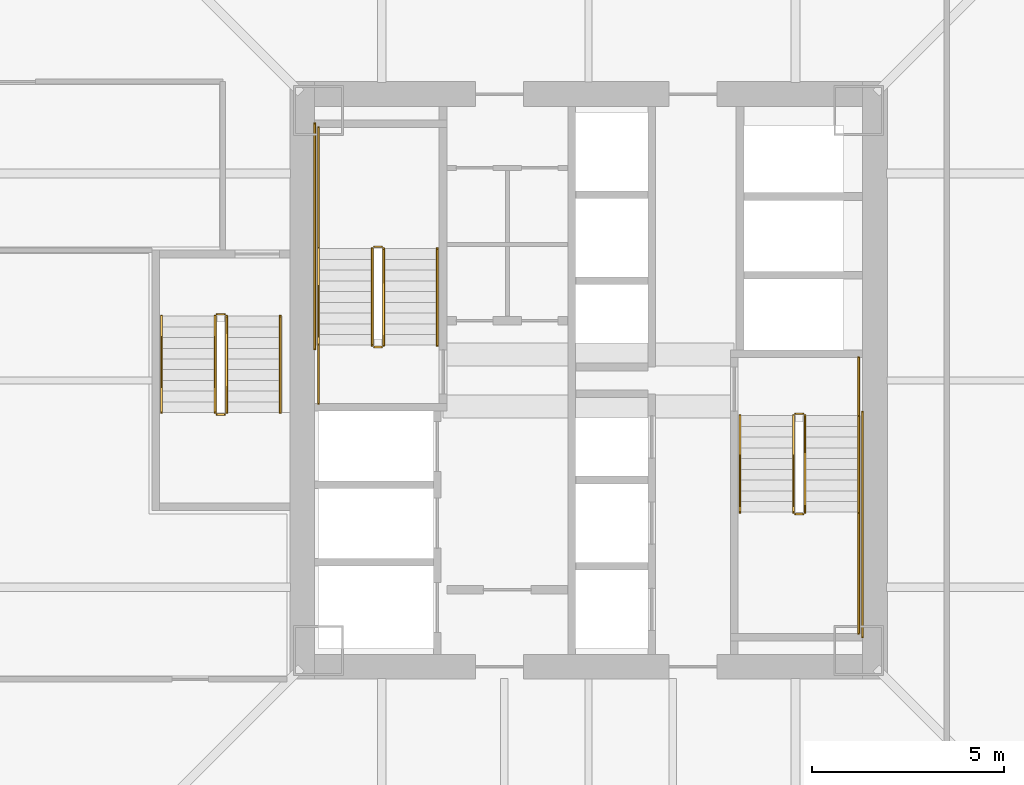
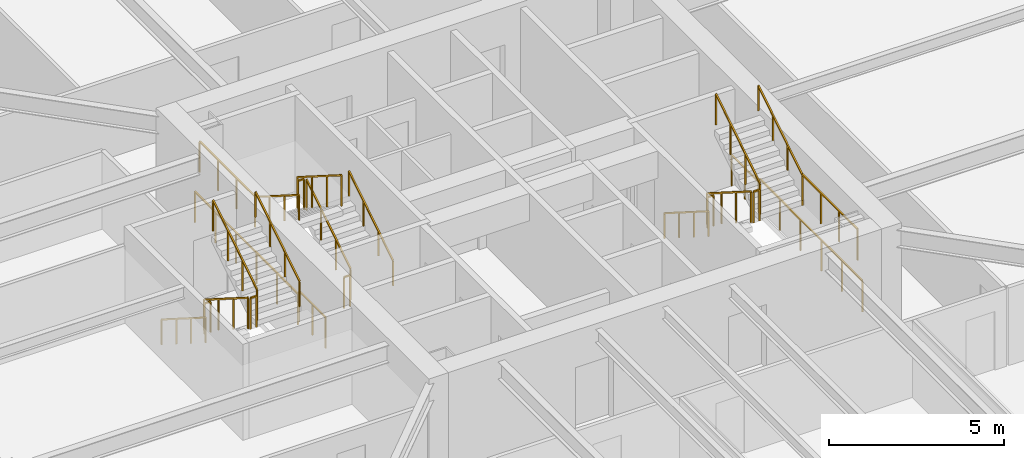
# One storey, part 49 of 54: 24 railings.
"""IFC4 building model written with IfcOpenShell, lengths in metres."""

from ifc_helpers import new_model, si_unit, direction, frame, origin, origin_2d, place, context, subcontext, project, spatial, rectangle, extrude, material, type_object, element, save


model = new_model("IFC4")

# Units and contexts
model_context = context("Model", 3, precision=1e-05, world=origin(), true_north=direction((0.0, 1.0)))
body_context = subcontext(model_context, "Body", "Model", "MODEL_VIEW")
ifc_project = project(units=[si_unit("LENGTHUNIT", "METRE"), si_unit("AREAUNIT", "SQUARE_METRE"), si_unit("VOLUMEUNIT", "CUBIC_METRE"), si_unit("PLANEANGLEUNIT", "RADIAN"), si_unit("MASSUNIT", "GRAM", prefix="KILO")], contexts=[model_context])

# Site, building, storey
site_placement = place(None, origin())
site = spatial("IfcSite", under=ifc_project, at=site_placement, CompositionType="ELEMENT")
building_placement = place(site_placement, origin())
building = spatial("IfcBuilding", under=site, at=building_placement, Name="Tashvorn Skyway Center", CompositionType="ELEMENT")
storey_placement = place(building_placement, frame((0.0, 0.0, 88.5)))
storey = spatial("IfcBuildingStorey", under=building, at=storey_placement, Name="L23", CompositionType="ELEMENT", Elevation=88.5)

# Railings
ifc_material_1 = material(Name="Brushed stainless steel 316", Category="steel")
railing_type_1 = type_object("IfcRailingType", Name="RAIL-HAND-920", PredefinedType="HANDRAIL", material=ifc_material_1)
railing_1_placement = place(storey_placement, frame((38.050048828125, 32.919921875, 0.177490234375)))
element("IfcRailing", 1, at=railing_1_placement, inside=storey, type_object=railing_type_1, Name="L23 ST-T1-1 stair handrail 1", PredefinedType="HANDRAIL", context=body_context, shape_type="SweptSolid", body=[
    extrude(rectangle(XDim=0.048095703125, YDim=0.048095703125, at=origin_2d()), frame((0.0, 0.0, 0.8759765625), z_axis=(0.0, 0.84460694969, 0.535386869969), x_axis=(-1.0, 0.0, 0.0)), (0.0, 0.0, 1.0), 2.983642578125),
    extrude(rectangle(XDim=0.0419921875, YDim=0.0419921875, at=origin_2d()), origin(), (0.0, 0.0, 1.0), 0.851806640625),
    extrude(rectangle(XDim=0.0419921875, YDim=0.0419921875, at=origin_2d()), frame((0.0, 0.840087890625, 0.532470703125)), (0.0, 0.0, 1.0), 0.851806640625),
    extrude(rectangle(XDim=0.0419921875, YDim=0.0419921875, at=origin_2d()), frame((0.0, 1.679931640625, 1.06494140625)), (0.0, 0.0, 1.0), 0.851806640625),
    extrude(rectangle(XDim=0.0419921875, YDim=0.0419921875, at=origin_2d()), frame((0.0, 2.52001953125, 1.597412109375)), (0.0, 0.0, 1.0), 0.851806640625),
])
railing_2_placement = place(storey_placement, frame((34.949951171875, 35.43994140625, 1.952392578125)))
element("IfcRailing", 2, at=railing_2_placement, inside=storey, type_object=railing_type_1, Name="L23 ST-T1-1 stair handrail 2", PredefinedType="HANDRAIL", context=body_context, shape_type="SweptSolid", body=[
    extrude(rectangle(XDim=0.048095703125, YDim=0.048095703125, at=origin_2d()), frame((0.0, 0.0, 0.8759765625), z_axis=(0.0, -0.84456994832, 0.535445237532), x_axis=(1.0, 0.0, 0.0)), (0.0, 0.0, 1.0), 2.98388671875),
    extrude(rectangle(XDim=0.0419921875, YDim=0.0419921875, at=origin_2d()), origin(), (0.0, 0.0, 1.0), 0.851806640625),
    extrude(rectangle(XDim=0.0419921875, YDim=0.0419921875, at=origin_2d()), frame((0.0, -0.840087890625, 0.532470703125)), (0.0, 0.0, 1.0), 0.851806640625),
    extrude(rectangle(XDim=0.0419921875, YDim=0.0419921875, at=origin_2d()), frame((0.0, -1.679931640625, 1.065185546875)), (0.0, 0.0, 1.0), 0.851806640625),
    extrude(rectangle(XDim=0.0419921875, YDim=0.0419921875, at=origin_2d()), frame((0.0, -2.52001953125, 1.59765625)), (0.0, 0.0, 1.0), 0.851806640625),
])
railing_3_placement = place(storey_placement, frame((45.949951171875, 31.080078125, 0.177490234375)))
element("IfcRailing", 3, at=railing_3_placement, inside=storey, type_object=railing_type_1, Name="L23 ST-T1-2 stair handrail 1", PredefinedType="HANDRAIL", context=body_context, shape_type="SweptSolid", body=[
    extrude(rectangle(XDim=0.048095703125, YDim=0.048095703125, at=origin_2d()), frame((0.0, 0.0, 0.8759765625), z_axis=(0.0, -0.84460694969, 0.535386869969), x_axis=(1.0, 0.0, 0.0)), (0.0, 0.0, 1.0), 2.983642578125),
    extrude(rectangle(XDim=0.0419921875, YDim=0.0419921875, at=origin_2d()), origin(), (0.0, 0.0, 1.0), 0.851806640625),
    extrude(rectangle(XDim=0.0419921875, YDim=0.0419921875, at=origin_2d()), frame((0.0, -0.840087890625, 0.532470703125)), (0.0, 0.0, 1.0), 0.851806640625),
    extrude(rectangle(XDim=0.0419921875, YDim=0.0419921875, at=origin_2d()), frame((0.0, -1.679931640625, 1.06494140625)), (0.0, 0.0, 1.0), 0.851806640625),
    extrude(rectangle(XDim=0.0419921875, YDim=0.0419921875, at=origin_2d()), frame((0.0, -2.52001953125, 1.597412109375)), (0.0, 0.0, 1.0), 0.851806640625),
])
railing_4_placement = place(storey_placement, frame((49.050048828125, 28.56005859375, 1.952392578125)))
element("IfcRailing", 4, at=railing_4_placement, inside=storey, type_object=railing_type_1, Name="L23 ST-T1-2 stair handrail 2", PredefinedType="HANDRAIL", context=body_context, shape_type="SweptSolid", body=[
    extrude(rectangle(XDim=0.048095703125, YDim=0.048095703125, at=origin_2d()), frame((0.0, 0.0, 0.8759765625), z_axis=(0.0, 0.84456994832, 0.535445237532), x_axis=(-1.0, 0.0, 0.0)), (0.0, 0.0, 1.0), 2.98388671875),
    extrude(rectangle(XDim=0.0419921875, YDim=0.0419921875, at=origin_2d()), origin(), (0.0, 0.0, 1.0), 0.851806640625),
    extrude(rectangle(XDim=0.0419921875, YDim=0.0419921875, at=origin_2d()), frame((0.0, 0.840087890625, 0.532470703125)), (0.0, 0.0, 1.0), 0.851806640625),
    extrude(rectangle(XDim=0.0419921875, YDim=0.0419921875, at=origin_2d()), frame((0.0, 1.679931640625, 1.065185546875)), (0.0, 0.0, 1.0), 0.851806640625),
    extrude(rectangle(XDim=0.0419921875, YDim=0.0419921875, at=origin_2d()), frame((0.0, 2.52001953125, 1.59765625)), (0.0, 0.0, 1.0), 0.851806640625),
])
railing_5_placement = place(storey_placement, frame((30.85009765625, 33.679931640625, 0.177490234375)))
element("IfcRailing", 5, at=railing_5_placement, inside=storey, type_object=railing_type_1, Name="L23 ST-T1-3 stair handrail 1", PredefinedType="HANDRAIL", context=body_context, shape_type="SweptSolid", body=[
    extrude(rectangle(XDim=0.048095703125, YDim=0.048095703125, at=origin_2d()), frame((0.0, 0.0, 0.8759765625), z_axis=(0.0, -0.84460694969, 0.535386869969), x_axis=(1.0, 0.0, 0.0)), (0.0, 0.0, 1.0), 2.983642578125),
    extrude(rectangle(XDim=0.0419921875, YDim=0.0419921875, at=origin_2d()), origin(), (0.0, 0.0, 1.0), 0.851806640625),
    extrude(rectangle(XDim=0.0419921875, YDim=0.0419921875, at=origin_2d()), frame((0.0, -0.840087890625, 0.532470703125)), (0.0, 0.0, 1.0), 0.851806640625),
    extrude(rectangle(XDim=0.0419921875, YDim=0.0419921875, at=origin_2d()), frame((0.0, -1.679931640625, 1.06494140625)), (0.0, 0.0, 1.0), 0.851806640625),
    extrude(rectangle(XDim=0.0419921875, YDim=0.0419921875, at=origin_2d()), frame((0.0, -2.52001953125, 1.597412109375)), (0.0, 0.0, 1.0), 0.851806640625),
])
railing_6_placement = place(storey_placement, frame((33.949951171875, 31.159912109375, 1.952392578125)))
element("IfcRailing", 6, at=railing_6_placement, inside=storey, type_object=railing_type_1, Name="L23 ST-T1-3 stair handrail 2", PredefinedType="HANDRAIL", context=body_context, shape_type="SweptSolid", body=[
    extrude(rectangle(XDim=0.048095703125, YDim=0.048095703125, at=origin_2d()), frame((0.0, 0.0, 0.8759765625), z_axis=(0.0, 0.84456994832, 0.535445237532), x_axis=(-1.0, 0.0, 0.0)), (0.0, 0.0, 1.0), 2.98388671875),
    extrude(rectangle(XDim=0.0419921875, YDim=0.0419921875, at=origin_2d()), origin(), (0.0, 0.0, 1.0), 0.851806640625),
    extrude(rectangle(XDim=0.0419921875, YDim=0.0419921875, at=origin_2d()), frame((0.0, 0.840087890625, 0.532470703125)), (0.0, 0.0, 1.0), 0.851806640625),
    extrude(rectangle(XDim=0.0419921875, YDim=0.0419921875, at=origin_2d()), frame((0.0, 1.679931640625, 1.065185546875)), (0.0, 0.0, 1.0), 0.851806640625),
    extrude(rectangle(XDim=0.0419921875, YDim=0.0419921875, at=origin_2d()), frame((0.0, 2.52001953125, 1.59765625)), (0.0, 0.0, 1.0), 0.851806640625),
])
ifc_material_2 = material(Name="Painted galvanized steel S355", Category="steel")
railing_type_2 = type_object("IfcRailingType", Name="RAIL-STGUARD-1100", PredefinedType="GUARDRAIL", material=ifc_material_2)
railing_7_placement = place(storey_placement, frame((36.64990234375, 32.919921875, 0.177490234375)))
element("IfcRailing", 7, at=railing_7_placement, inside=storey, type_object=railing_type_2, Name="L23 ST-T1-1 stair guard 1", PredefinedType="GUARDRAIL", context=body_context, shape_type="SweptSolid", body=[
    extrude(rectangle(XDim=0.048095703125, YDim=0.048095703125, at=origin_2d()), frame((0.0, 0.0, 1.076171875), z_axis=(0.0, 0.84460694969, 0.535386869969), x_axis=(-1.0, 0.0, 0.0)), (0.0, 0.0, 1.0), 2.983642578125),
    extrude(rectangle(XDim=0.0419921875, YDim=0.0419921875, at=origin_2d()), origin(), (0.0, 0.0, 1.0), 1.052001953125),
    extrude(rectangle(XDim=0.0419921875, YDim=0.0419921875, at=origin_2d()), frame((0.0, 0.840087890625, 0.532470703125)), (0.0, 0.0, 1.0), 1.052001953125),
    extrude(rectangle(XDim=0.0419921875, YDim=0.0419921875, at=origin_2d()), frame((0.0, 1.679931640625, 1.06494140625)), (0.0, 0.0, 1.0), 1.052001953125),
    extrude(rectangle(XDim=0.0419921875, YDim=0.0419921875, at=origin_2d()), frame((0.0, 2.52001953125, 1.597412109375)), (0.0, 0.0, 1.0), 1.052001953125),
])
railing_8_placement = place(storey_placement, frame((36.60009765625, 35.489990234375, 1.77490234375)))
element("IfcRailing", 8, at=railing_8_placement, inside=storey, type_object=railing_type_2, Name="L23 ST-T1-1 stair guard 2", PredefinedType="GUARDRAIL", context=body_context, shape_type="SweptSolid", body=[
    extrude(rectangle(XDim=0.048095703125, YDim=0.048095703125, at=origin_2d()), frame((0.0, 0.0, 1.076171875), z_axis=(-1.0, 0.0, 0.0), x_axis=(0.0, -1.0, 0.0)), (0.0, 0.0, 1.0), 0.2001953125),
    extrude(rectangle(XDim=0.0419921875, YDim=0.0419921875, at=origin_2d()), origin(), (0.0, 0.0, 1.0), 1.052001953125),
    extrude(rectangle(XDim=0.0419921875, YDim=0.0419921875, at=origin_2d()), frame((-0.2001953125, 0.0, 0.0)), (0.0, 0.0, 1.0), 1.052001953125),
])
railing_9_placement = place(storey_placement, frame((34.949951171875, 35.43994140625, 1.77490234375)))
element("IfcRailing", 9, at=railing_9_placement, inside=storey, type_object=railing_type_2, Name="L23 ST-T1-1 stair guard 3", PredefinedType="GUARDRAIL", context=body_context, shape_type="SweptSolid", body=[
    extrude(rectangle(XDim=0.048095703125, YDim=0.048095703125, at=origin_2d()), frame((0.0, 0.0, 1.076171875), z_axis=(0.0, 1.0, 0.0), x_axis=(-1.0, 0.0, 0.0)), (0.0, 0.0, 1.0), 3.16015625),
    extrude(rectangle(XDim=0.0419921875, YDim=0.0419921875, at=origin_2d()), origin(), (0.0, 0.0, 1.0), 1.052001953125),
    extrude(rectangle(XDim=0.0419921875, YDim=0.0419921875, at=origin_2d()), frame((0.0, 1.053466796875, 0.0)), (0.0, 0.0, 1.0), 1.052001953125),
    extrude(rectangle(XDim=0.0419921875, YDim=0.0419921875, at=origin_2d()), frame((0.0, 2.106689453125, 0.0)), (0.0, 0.0, 1.0), 1.052001953125),
    extrude(rectangle(XDim=0.0419921875, YDim=0.0419921875, at=origin_2d()), frame((0.0, 3.16015625, 0.0)), (0.0, 0.0, 1.0), 1.052001953125),
])
railing_10_placement = place(storey_placement, frame((36.35009765625, 35.43994140625, 1.952392578125)))
element("IfcRailing", 10, at=railing_10_placement, inside=storey, type_object=railing_type_2, Name="L23 ST-T1-1 stair guard 4", PredefinedType="GUARDRAIL", context=body_context, shape_type="SweptSolid", body=[
    extrude(rectangle(XDim=0.048095703125, YDim=0.048095703125, at=origin_2d()), frame((0.0, 0.0, 1.076171875), z_axis=(0.0, -0.84456994832, 0.535445237532), x_axis=(1.0, 0.0, 0.0)), (0.0, 0.0, 1.0), 2.98388671875),
    extrude(rectangle(XDim=0.0419921875, YDim=0.0419921875, at=origin_2d()), origin(), (0.0, 0.0, 1.0), 1.052001953125),
    extrude(rectangle(XDim=0.0419921875, YDim=0.0419921875, at=origin_2d()), frame((0.0, -0.840087890625, 0.532470703125)), (0.0, 0.0, 1.0), 1.052001953125),
    extrude(rectangle(XDim=0.0419921875, YDim=0.0419921875, at=origin_2d()), frame((0.0, -1.679931640625, 1.065185546875)), (0.0, 0.0, 1.0), 1.052001953125),
    extrude(rectangle(XDim=0.0419921875, YDim=0.0419921875, at=origin_2d()), frame((0.0, -2.52001953125, 1.59765625)), (0.0, 0.0, 1.0), 1.052001953125),
])
railing_11_placement = place(storey_placement, frame((36.60009765625, 32.8701171875, 0.0)))
element("IfcRailing", 11, at=railing_11_placement, inside=storey, type_object=railing_type_2, Name="L23 ST-T1-1 stair guard 5", PredefinedType="GUARDRAIL", context=body_context, shape_type="SweptSolid", body=[
    extrude(rectangle(XDim=0.048095703125, YDim=0.048095703125, at=origin_2d()), frame((0.0, 0.0, 1.076171875), z_axis=(-1.0, 0.0, 0.0), x_axis=(0.0, -1.0, 0.0)), (0.0, 0.0, 1.0), 0.2001953125),
    extrude(rectangle(XDim=0.0419921875, YDim=0.0419921875, at=origin_2d()), origin(), (0.0, 0.0, 1.0), 1.052001953125),
    extrude(rectangle(XDim=0.0419921875, YDim=0.0419921875, at=origin_2d()), frame((-0.2001953125, 0.0, 0.0)), (0.0, 0.0, 1.0), 1.052001953125),
])
railing_12_placement = place(storey_placement, frame((34.949951171875, 31.39990234375, 0.0)))
element("IfcRailing", 12, at=railing_12_placement, inside=storey, type_object=railing_type_2, Name="L23 ST-T1-1 stair guard 6", PredefinedType="GUARDRAIL", context=body_context, shape_type="SweptSolid", body=[
    extrude(rectangle(XDim=0.048095703125, YDim=0.048095703125, at=origin_2d()), frame((0.0, 0.0, 1.076171875), z_axis=(0.0, 1.0, 0.0), x_axis=(-1.0, 0.0, 0.0)), (0.0, 0.0, 1.0), 1.52001953125),
    extrude(rectangle(XDim=0.0419921875, YDim=0.0419921875, at=origin_2d()), origin(), (0.0, 0.0, 1.0), 1.052001953125),
    extrude(rectangle(XDim=0.0419921875, YDim=0.0419921875, at=origin_2d()), frame((0.0, 0.760009765625, 0.0)), (0.0, 0.0, 1.0), 1.052001953125),
    extrude(rectangle(XDim=0.0419921875, YDim=0.0419921875, at=origin_2d()), frame((0.0, 1.52001953125, 0.0)), (0.0, 0.0, 1.0), 1.052001953125),
])
railing_13_placement = place(storey_placement, frame((34.85009765625, 32.820068359375, 0.0)))
element("IfcRailing", 13, at=railing_13_placement, inside=storey, type_object=railing_type_2, Name="L23 ST-T1-1 stair guard 7", PredefinedType="GUARDRAIL", context=body_context, shape_type="SweptSolid", body=[
    extrude(rectangle(XDim=0.048095703125, YDim=0.048095703125, at=origin_2d()), frame((0.0, 0.0, 1.076171875), z_axis=(0.0, 1.0, 0.0), x_axis=(-1.0, 0.0, 0.0)), (0.0, 0.0, 1.0), 5.8798828125),
    extrude(rectangle(XDim=0.0419921875, YDim=0.0419921875, at=origin_2d()), origin(), (0.0, 0.0, 1.0), 1.052001953125),
    extrude(rectangle(XDim=0.0419921875, YDim=0.0419921875, at=origin_2d()), frame((0.0, 1.176025390625, 0.0)), (0.0, 0.0, 1.0), 1.052001953125),
    extrude(rectangle(XDim=0.0419921875, YDim=0.0419921875, at=origin_2d()), frame((0.0, 2.35205078125, 0.0)), (0.0, 0.0, 1.0), 1.052001953125),
    extrude(rectangle(XDim=0.0419921875, YDim=0.0419921875, at=origin_2d()), frame((0.0, 3.52783203125, 0.0)), (0.0, 0.0, 1.0), 1.052001953125),
    extrude(rectangle(XDim=0.0419921875, YDim=0.0419921875, at=origin_2d()), frame((0.0, 4.703857421875, 0.0)), (0.0, 0.0, 1.0), 1.052001953125),
    extrude(rectangle(XDim=0.0419921875, YDim=0.0419921875, at=origin_2d()), frame((0.0, 5.8798828125, 0.0)), (0.0, 0.0, 1.0), 1.052001953125),
])
railing_14_placement = place(storey_placement, frame((47.35009765625, 31.080078125, 0.177490234375)))
element("IfcRailing", 14, at=railing_14_placement, inside=storey, type_object=railing_type_2, Name="L23 ST-T1-2 stair guard 1", PredefinedType="GUARDRAIL", context=body_context, shape_type="SweptSolid", body=[
    extrude(rectangle(XDim=0.048095703125, YDim=0.048095703125, at=origin_2d()), frame((0.0, 0.0, 1.076171875), z_axis=(0.0, -0.84460694969, 0.535386869969), x_axis=(1.0, 0.0, 0.0)), (0.0, 0.0, 1.0), 2.983642578125),
    extrude(rectangle(XDim=0.0419921875, YDim=0.0419921875, at=origin_2d()), origin(), (0.0, 0.0, 1.0), 1.052001953125),
    extrude(rectangle(XDim=0.0419921875, YDim=0.0419921875, at=origin_2d()), frame((0.0, -0.840087890625, 0.532470703125)), (0.0, 0.0, 1.0), 1.052001953125),
    extrude(rectangle(XDim=0.0419921875, YDim=0.0419921875, at=origin_2d()), frame((0.0, -1.679931640625, 1.06494140625)), (0.0, 0.0, 1.0), 1.052001953125),
    extrude(rectangle(XDim=0.0419921875, YDim=0.0419921875, at=origin_2d()), frame((0.0, -2.52001953125, 1.597412109375)), (0.0, 0.0, 1.0), 1.052001953125),
])
railing_15_placement = place(storey_placement, frame((47.39990234375, 28.510009765625, 1.77490234375)))
element("IfcRailing", 15, at=railing_15_placement, inside=storey, type_object=railing_type_2, Name="L23 ST-T1-2 stair guard 2", PredefinedType="GUARDRAIL", context=body_context, shape_type="SweptSolid", body=[
    extrude(rectangle(XDim=0.048095703125, YDim=0.048095703125, at=origin_2d()), frame((0.0, 0.0, 1.076171875), z_axis=(1.0, 0.0, 0.0), x_axis=(0.0, 1.0, 0.0)), (0.0, 0.0, 1.0), 0.2001953125),
    extrude(rectangle(XDim=0.0419921875, YDim=0.0419921875, at=origin_2d()), origin(), (0.0, 0.0, 1.0), 1.052001953125),
    extrude(rectangle(XDim=0.0419921875, YDim=0.0419921875, at=origin_2d()), frame((0.2001953125, 0.0, 0.0)), (0.0, 0.0, 1.0), 1.052001953125),
])
railing_16_placement = place(storey_placement, frame((49.050048828125, 28.56005859375, 1.77490234375)))
element("IfcRailing", 16, at=railing_16_placement, inside=storey, type_object=railing_type_2, Name="L23 ST-T1-2 stair guard 3", PredefinedType="GUARDRAIL", context=body_context, shape_type="SweptSolid", body=[
    extrude(rectangle(XDim=0.048095703125, YDim=0.048095703125, at=origin_2d()), frame((0.0, 0.0, 1.076171875), z_axis=(0.0, -1.0, 0.0), x_axis=(1.0, 0.0, 0.0)), (0.0, 0.0, 1.0), 3.16015625),
    extrude(rectangle(XDim=0.0419921875, YDim=0.0419921875, at=origin_2d()), origin(), (0.0, 0.0, 1.0), 1.052001953125),
    extrude(rectangle(XDim=0.0419921875, YDim=0.0419921875, at=origin_2d()), frame((0.0, -1.053466796875, 0.0)), (0.0, 0.0, 1.0), 1.052001953125),
    extrude(rectangle(XDim=0.0419921875, YDim=0.0419921875, at=origin_2d()), frame((0.0, -2.106689453125, 0.0)), (0.0, 0.0, 1.0), 1.052001953125),
    extrude(rectangle(XDim=0.0419921875, YDim=0.0419921875, at=origin_2d()), frame((0.0, -3.16015625, 0.0)), (0.0, 0.0, 1.0), 1.052001953125),
])
railing_17_placement = place(storey_placement, frame((47.64990234375, 28.56005859375, 1.952392578125)))
element("IfcRailing", 17, at=railing_17_placement, inside=storey, type_object=railing_type_2, Name="L23 ST-T1-2 stair guard 4", PredefinedType="GUARDRAIL", context=body_context, shape_type="SweptSolid", body=[
    extrude(rectangle(XDim=0.048095703125, YDim=0.048095703125, at=origin_2d()), frame((0.0, 0.0, 1.076171875), z_axis=(0.0, 0.84456994832, 0.535445237532), x_axis=(-1.0, 0.0, 0.0)), (0.0, 0.0, 1.0), 2.98388671875),
    extrude(rectangle(XDim=0.0419921875, YDim=0.0419921875, at=origin_2d()), origin(), (0.0, 0.0, 1.0), 1.052001953125),
    extrude(rectangle(XDim=0.0419921875, YDim=0.0419921875, at=origin_2d()), frame((0.0, 0.840087890625, 0.532470703125)), (0.0, 0.0, 1.0), 1.052001953125),
    extrude(rectangle(XDim=0.0419921875, YDim=0.0419921875, at=origin_2d()), frame((0.0, 1.679931640625, 1.065185546875)), (0.0, 0.0, 1.0), 1.052001953125),
    extrude(rectangle(XDim=0.0419921875, YDim=0.0419921875, at=origin_2d()), frame((0.0, 2.52001953125, 1.59765625)), (0.0, 0.0, 1.0), 1.052001953125),
])
railing_18_placement = place(storey_placement, frame((47.39990234375, 31.1298828125, 0.0)))
element("IfcRailing", 18, at=railing_18_placement, inside=storey, type_object=railing_type_2, Name="L23 ST-T1-2 stair guard 5", PredefinedType="GUARDRAIL", context=body_context, shape_type="SweptSolid", body=[
    extrude(rectangle(XDim=0.048095703125, YDim=0.048095703125, at=origin_2d()), frame((0.0, 0.0, 1.076171875), z_axis=(1.0, 0.0, 0.0), x_axis=(0.0, 1.0, 0.0)), (0.0, 0.0, 1.0), 0.2001953125),
    extrude(rectangle(XDim=0.0419921875, YDim=0.0419921875, at=origin_2d()), origin(), (0.0, 0.0, 1.0), 1.052001953125),
    extrude(rectangle(XDim=0.0419921875, YDim=0.0419921875, at=origin_2d()), frame((0.2001953125, 0.0, 0.0)), (0.0, 0.0, 1.0), 1.052001953125),
])
railing_19_placement = place(storey_placement, frame((49.050048828125, 32.60009765625, 0.0)))
element("IfcRailing", 19, at=railing_19_placement, inside=storey, type_object=railing_type_2, Name="L23 ST-T1-2 stair guard 6", PredefinedType="GUARDRAIL", context=body_context, shape_type="SweptSolid", body=[
    extrude(rectangle(XDim=0.048095703125, YDim=0.048095703125, at=origin_2d()), frame((0.0, 0.0, 1.076171875), z_axis=(0.0, -1.0, 0.0), x_axis=(1.0, 0.0, 0.0)), (0.0, 0.0, 1.0), 1.52001953125),
    extrude(rectangle(XDim=0.0419921875, YDim=0.0419921875, at=origin_2d()), origin(), (0.0, 0.0, 1.0), 1.052001953125),
    extrude(rectangle(XDim=0.0419921875, YDim=0.0419921875, at=origin_2d()), frame((0.0, -0.760009765625, 0.0)), (0.0, 0.0, 1.0), 1.052001953125),
    extrude(rectangle(XDim=0.0419921875, YDim=0.0419921875, at=origin_2d()), frame((0.0, -1.52001953125, 0.0)), (0.0, 0.0, 1.0), 1.052001953125),
])
railing_20_placement = place(storey_placement, frame((49.14990234375, 31.179931640625, 0.0)))
element("IfcRailing", 20, at=railing_20_placement, inside=storey, type_object=railing_type_2, Name="L23 ST-T1-2 stair guard 7", PredefinedType="GUARDRAIL", context=body_context, shape_type="SweptSolid", body=[
    extrude(rectangle(XDim=0.048095703125, YDim=0.048095703125, at=origin_2d()), frame((0.0, 0.0, 1.076171875), z_axis=(0.0, -1.0, 0.0), x_axis=(1.0, 0.0, 0.0)), (0.0, 0.0, 1.0), 5.8798828125),
    extrude(rectangle(XDim=0.0419921875, YDim=0.0419921875, at=origin_2d()), origin(), (0.0, 0.0, 1.0), 1.052001953125),
    extrude(rectangle(XDim=0.0419921875, YDim=0.0419921875, at=origin_2d()), frame((0.0, -1.176025390625, 0.0)), (0.0, 0.0, 1.0), 1.052001953125),
    extrude(rectangle(XDim=0.0419921875, YDim=0.0419921875, at=origin_2d()), frame((0.0, -2.35205078125, 0.0)), (0.0, 0.0, 1.0), 1.052001953125),
    extrude(rectangle(XDim=0.0419921875, YDim=0.0419921875, at=origin_2d()), frame((0.0, -3.52783203125, 0.0)), (0.0, 0.0, 1.0), 1.052001953125),
    extrude(rectangle(XDim=0.0419921875, YDim=0.0419921875, at=origin_2d()), frame((0.0, -4.703857421875, 0.0)), (0.0, 0.0, 1.0), 1.052001953125),
    extrude(rectangle(XDim=0.0419921875, YDim=0.0419921875, at=origin_2d()), frame((0.0, -5.8798828125, 0.0)), (0.0, 0.0, 1.0), 1.052001953125),
])
railing_21_placement = place(storey_placement, frame((32.25, 33.679931640625, 0.177490234375)))
element("IfcRailing", 21, at=railing_21_placement, inside=storey, type_object=railing_type_2, Name="L23 ST-T1-3 stair guard 1", PredefinedType="GUARDRAIL", context=body_context, shape_type="SweptSolid", body=[
    extrude(rectangle(XDim=0.048095703125, YDim=0.048095703125, at=origin_2d()), frame((0.0, 0.0, 1.076171875), z_axis=(0.0, -0.84460694969, 0.535386869969), x_axis=(1.0, 0.0, 0.0)), (0.0, 0.0, 1.0), 2.983642578125),
    extrude(rectangle(XDim=0.0419921875, YDim=0.0419921875, at=origin_2d()), origin(), (0.0, 0.0, 1.0), 1.052001953125),
    extrude(rectangle(XDim=0.0419921875, YDim=0.0419921875, at=origin_2d()), frame((0.0, -0.840087890625, 0.532470703125)), (0.0, 0.0, 1.0), 1.052001953125),
    extrude(rectangle(XDim=0.0419921875, YDim=0.0419921875, at=origin_2d()), frame((0.0, -1.679931640625, 1.06494140625)), (0.0, 0.0, 1.0), 1.052001953125),
    extrude(rectangle(XDim=0.0419921875, YDim=0.0419921875, at=origin_2d()), frame((0.0, -2.52001953125, 1.597412109375)), (0.0, 0.0, 1.0), 1.052001953125),
])
railing_22_placement = place(storey_placement, frame((32.300048828125, 31.110107421875, 1.77490234375)))
element("IfcRailing", 22, at=railing_22_placement, inside=storey, type_object=railing_type_2, Name="L23 ST-T1-3 stair guard 2", PredefinedType="GUARDRAIL", context=body_context, shape_type="SweptSolid", body=[
    extrude(rectangle(XDim=0.048095703125, YDim=0.048095703125, at=origin_2d()), frame((0.0, 0.0, 1.076171875), z_axis=(1.0, 0.0, 0.0), x_axis=(0.0, 1.0, 0.0)), (0.0, 0.0, 1.0), 0.199951171875),
    extrude(rectangle(XDim=0.0419921875, YDim=0.0419921875, at=origin_2d()), origin(), (0.0, 0.0, 1.0), 1.052001953125),
    extrude(rectangle(XDim=0.0419921875, YDim=0.0419921875, at=origin_2d()), frame((0.199951171875, 0.0, 0.0)), (0.0, 0.0, 1.0), 1.052001953125),
])
railing_23_placement = place(storey_placement, frame((32.550048828125, 31.159912109375, 1.952392578125)))
element("IfcRailing", 23, at=railing_23_placement, inside=storey, type_object=railing_type_2, Name="L23 ST-T1-3 stair guard 3", PredefinedType="GUARDRAIL", context=body_context, shape_type="SweptSolid", body=[
    extrude(rectangle(XDim=0.048095703125, YDim=0.048095703125, at=origin_2d()), frame((0.0, 0.0, 1.076171875), z_axis=(0.0, 0.84456994832, 0.535445237532), x_axis=(-1.0, 0.0, 0.0)), (0.0, 0.0, 1.0), 2.98388671875),
    extrude(rectangle(XDim=0.0419921875, YDim=0.0419921875, at=origin_2d()), origin(), (0.0, 0.0, 1.0), 1.052001953125),
    extrude(rectangle(XDim=0.0419921875, YDim=0.0419921875, at=origin_2d()), frame((0.0, 0.840087890625, 0.532470703125)), (0.0, 0.0, 1.0), 1.052001953125),
    extrude(rectangle(XDim=0.0419921875, YDim=0.0419921875, at=origin_2d()), frame((0.0, 1.679931640625, 1.065185546875)), (0.0, 0.0, 1.0), 1.052001953125),
    extrude(rectangle(XDim=0.0419921875, YDim=0.0419921875, at=origin_2d()), frame((0.0, 2.52001953125, 1.59765625)), (0.0, 0.0, 1.0), 1.052001953125),
])
railing_24_placement = place(storey_placement, frame((32.300048828125, 33.72998046875, 0.0)))
element("IfcRailing", 24, at=railing_24_placement, inside=storey, type_object=railing_type_2, Name="L23 ST-T1-3 stair guard 4", PredefinedType="GUARDRAIL", context=body_context, shape_type="SweptSolid", body=[
    extrude(rectangle(XDim=0.048095703125, YDim=0.048095703125, at=origin_2d()), frame((0.0, 0.0, 1.076171875), z_axis=(1.0, 0.0, 0.0), x_axis=(0.0, 1.0, 0.0)), (0.0, 0.0, 1.0), 0.199951171875),
    extrude(rectangle(XDim=0.0419921875, YDim=0.0419921875, at=origin_2d()), origin(), (0.0, 0.0, 1.0), 1.052001953125),
    extrude(rectangle(XDim=0.0419921875, YDim=0.0419921875, at=origin_2d()), frame((0.199951171875, 0.0, 0.0)), (0.0, 0.0, 1.0), 1.052001953125),
])

save(model, "model.ifc")
